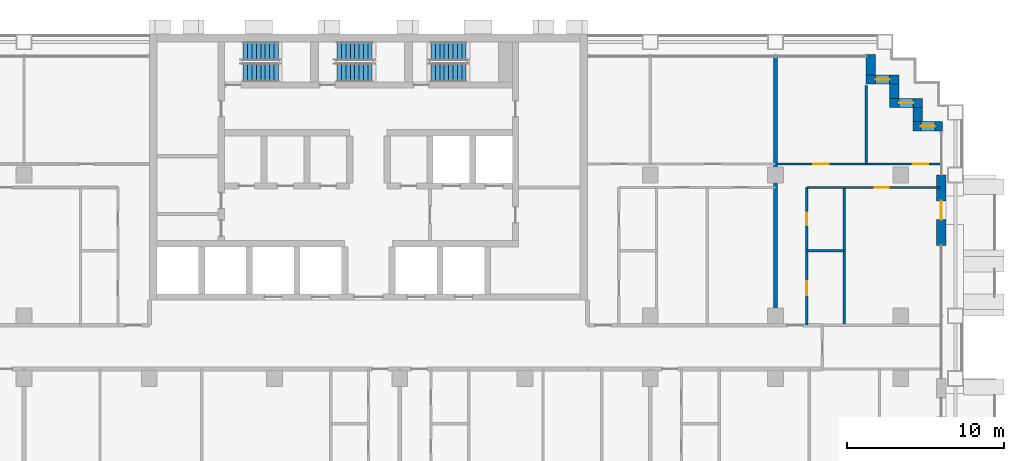
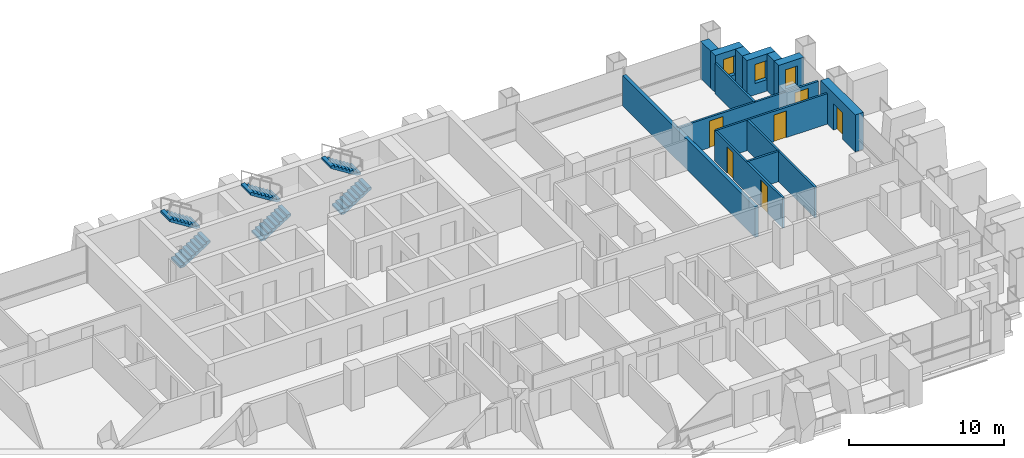
# One storey, part 14 of 18: 14 walls, 6 doors, 6 stair flights, 3 windows, 9 openings, 3 elements without a shape of their own.
"""IFC4 building model written with IfcOpenShell, lengths in metres."""

from ifc_helpers import new_model, si_unit, direction, frame, frame_2d, origin, place, context, subcontext, project, spatial, polyline, rectangle, outline, extrude, material, layer, layer_set, type_object, element, fill, aggregate, save


model = new_model("IFC4")

# Units and contexts
model_context = context("Model", 3, precision=1e-05, world=origin(), true_north=direction((0.0, 1.0)))
body_context = subcontext(model_context, "Body", "Model", "MODEL_VIEW")
ifc_project = project(units=[si_unit("LENGTHUNIT", "METRE"), si_unit("AREAUNIT", "SQUARE_METRE"), si_unit("VOLUMEUNIT", "CUBIC_METRE"), si_unit("PLANEANGLEUNIT", "RADIAN"), si_unit("MASSUNIT", "GRAM", prefix="KILO")], contexts=[model_context])

# Site, building, storey
site_placement = place(None, origin())
site = spatial("IfcSite", under=ifc_project, at=site_placement, CompositionType="ELEMENT")
building_placement = place(site_placement, origin())
building = spatial("IfcBuilding", under=site, at=building_placement, Name="Vidyagriha Tower", CompositionType="ELEMENT")
storey_placement = place(building_placement, frame((0.0, 0.0, 41.60009765625)))
storey = spatial("IfcBuildingStorey", under=building, at=storey_placement, Name="L10", CompositionType="ELEMENT", Elevation=41.60009765625)

# Wall, opening, window
ifc_material_1 = material(Name="Precast concrete C40/50 with brick facing", Category="concrete")
ifc_layer_1 = layer(ifc_material_1, 0.60009765625)
ifc_layer_set_1 = layer_set([ifc_layer_1], Name="Precast concrete C40/50 with brick facing")
wall_type_1 = type_object("IfcWallType", Name="Brick-faced precast wall 600", PredefinedType="STANDARD", material=ifc_layer_set_1)
wall_1_placement = place(storey_placement, frame((36.679931640625, 14.10009765625, 0.0), z_axis=(0.0, 0.0, 1.0), x_axis=(-1.0, 0.0, 0.0)))
wall_1 = element("IfcWall", 1, at=wall_1_placement, inside=storey, type_object=wall_type_1, Name="Stepped corner wall L10 R01", PredefinedType="STANDARD", context=body_context, shape_type="SweptSolid", body=[
    extrude(rectangle(XDim=1.8798828125, YDim=0.60009765625, at=frame_2d((0.93994140625, 0.0))), origin(), (0.0, 0.0, 1.0), 2.919921875),
])
opening_1_placement = place(wall_1_placement, frame((0.489990234375, 0.0, 0.89990234375)))
opening_1 = element("IfcOpeningElement", 2, at=opening_1_placement, cuts=wall_1, Name="Opening WN1", PredefinedType="OPENING", context=body_context, shape_type="SweptSolid", body=[
    extrude(rectangle(XDim=0.89990234375, YDim=1.5, at=frame_2d((0.449951171875, 0.75))), frame((0.0, 0.31005859375, 0.0), z_axis=(0.0, -1.0, 0.0), x_axis=(1.0, 0.0, 0.0)), (0.0, 0.0, 1.0), 0.6201171875),
])
ifc_material_2 = material(Name="Aluminium and glass window", Category="aluminium")
window_type = type_object("IfcWindowType", Name="Reveal window 900x1500", PartitioningType="NOTDEFINED", PredefinedType="WINDOW", material=ifc_material_2)
window_1_placement = place(opening_1_placement, origin())
window_1 = element("IfcWindow", 3, at=window_1_placement, inside=storey, type_object=window_type, Name="Reveal window L10 R01", OverallHeight=1.5, OverallWidth=0.89990234375, PartitioningType="SINGLE_PANEL", PredefinedType="WINDOW", context=body_context, shape_type="SweptSolid", body=[
    extrude(rectangle(XDim=0.89990234375, YDim=1.5, at=frame_2d((0.449951171875, 0.75))), frame((0.0, 0.030029296875, 0.0), z_axis=(0.0, -1.0, 0.0), x_axis=(1.0, 0.0, 0.0)), (0.0, 0.0, 1.0), 0.06005859375),
])
fill(opening_1, window_1)

# Wall
wall_2_placement = place(storey_placement, frame((35.10009765625, 14.39990234375, 0.0), z_axis=(0.0, 0.0, 1.0), x_axis=(0.0, 1.0, 0.0)))
element("IfcWall", 4, at=wall_2_placement, inside=storey, type_object=wall_type_1, Name="Stepped corner wall L10 R02", PredefinedType="STANDARD", context=body_context, shape_type="SweptSolid", body=[
    extrude(rectangle(XDim=0.900146484375, YDim=0.60009765625, at=frame_2d((0.4501953125, 0.0))), origin(), (0.0, 0.0, 1.0), 2.919921875),
])

# Wall, opening, window
wall_3_placement = place(storey_placement, frame((35.39990234375, 15.60009765625, 0.0), z_axis=(0.0, 0.0, 1.0), x_axis=(-1.0, 0.0, 0.0)))
wall_3 = element("IfcWall", 5, at=wall_3_placement, inside=storey, type_object=wall_type_1, Name="Stepped corner wall L10 R03", PredefinedType="STANDARD", context=body_context, shape_type="SweptSolid", body=[
    extrude(rectangle(XDim=2.099853515625, YDim=0.60009765625, at=frame_2d((1.0498046875, 0.0))), origin(), (0.0, 0.0, 1.0), 2.919921875),
])
opening_2_placement = place(wall_3_placement, frame((0.60009765625, 0.0, 0.89990234375)))
opening_2 = element("IfcOpeningElement", 6, at=opening_2_placement, cuts=wall_3, Name="Opening WN1", PredefinedType="OPENING", context=body_context, shape_type="SweptSolid", body=[
    extrude(rectangle(XDim=0.89990234375, YDim=1.5, at=frame_2d((0.449951171875, 0.75))), frame((0.0, 0.31005859375, 0.0), z_axis=(0.0, -1.0, 0.0), x_axis=(1.0, 0.0, 0.0)), (0.0, 0.0, 1.0), 0.6201171875),
])
window_2_placement = place(opening_2_placement, origin())
window_2 = element("IfcWindow", 7, at=window_2_placement, inside=storey, type_object=window_type, Name="Reveal window L10 R03", OverallHeight=1.5, OverallWidth=0.89990234375, PartitioningType="SINGLE_PANEL", PredefinedType="WINDOW", context=body_context, shape_type="SweptSolid", body=[
    extrude(rectangle(XDim=0.89990234375, YDim=1.5, at=frame_2d((0.449951171875, 0.75))), frame((0.0, 0.030029296875, 0.0), z_axis=(0.0, -1.0, 0.0), x_axis=(1.0, 0.0, 0.0)), (0.0, 0.0, 1.0), 0.06005859375),
])
fill(opening_2, window_2)

# Wall
wall_4_placement = place(storey_placement, frame((33.60009765625, 15.89990234375, 0.0), z_axis=(0.0, 0.0, 1.0), x_axis=(0.0, 1.0, 0.0)))
element("IfcWall", 8, at=wall_4_placement, inside=storey, type_object=wall_type_1, Name="Stepped corner wall L10 R04", PredefinedType="STANDARD", context=body_context, shape_type="SweptSolid", body=[
    extrude(rectangle(XDim=0.900146484375, YDim=0.60009765625, at=frame_2d((0.4501953125, 0.0))), origin(), (0.0, 0.0, 1.0), 2.919921875),
])

# Wall, opening, window
wall_5_placement = place(storey_placement, frame((33.89990234375, 17.10009765625, 0.0), z_axis=(0.0, 0.0, 1.0), x_axis=(-1.0, 0.0, 0.0)))
wall_5 = element("IfcWall", 9, at=wall_5_placement, inside=storey, type_object=wall_type_1, Name="Stepped corner wall L10 R05", PredefinedType="STANDARD", context=body_context, shape_type="SweptSolid", body=[
    extrude(rectangle(XDim=2.099853515625, YDim=0.60009765625, at=frame_2d((1.0498046875, 0.0))), origin(), (0.0, 0.0, 1.0), 2.919921875),
])
opening_3_placement = place(wall_5_placement, frame((0.60009765625, 0.0, 0.89990234375)))
opening_3 = element("IfcOpeningElement", 10, at=opening_3_placement, cuts=wall_5, Name="Opening WN1", PredefinedType="OPENING", context=body_context, shape_type="SweptSolid", body=[
    extrude(rectangle(XDim=0.89990234375, YDim=1.5, at=frame_2d((0.449951171875, 0.75))), frame((0.0, 0.31005859375, 0.0), z_axis=(0.0, -1.0, 0.0), x_axis=(1.0, 0.0, 0.0)), (0.0, 0.0, 1.0), 0.6201171875),
])
window_3_placement = place(opening_3_placement, origin())
window_3 = element("IfcWindow", 11, at=window_3_placement, inside=storey, type_object=window_type, Name="Reveal window L10 R05", OverallHeight=1.5, OverallWidth=0.89990234375, PartitioningType="SINGLE_PANEL", PredefinedType="WINDOW", context=body_context, shape_type="SweptSolid", body=[
    extrude(rectangle(XDim=0.89990234375, YDim=1.5, at=frame_2d((0.449951171875, 0.75))), frame((0.0, 0.030029296875, 0.0), z_axis=(0.0, -1.0, 0.0), x_axis=(1.0, 0.0, 0.0)), (0.0, 0.0, 1.0), 0.06005859375),
])
fill(opening_3, window_3)

# Wall
wall_6_placement = place(storey_placement, frame((32.10009765625, 17.39990234375, 0.0), z_axis=(0.0, 0.0, 1.0), x_axis=(0.0, 1.0, 0.0)))
element("IfcWall", 12, at=wall_6_placement, inside=storey, type_object=wall_type_1, Name="Stepped corner wall L10 R06", PredefinedType="STANDARD", context=body_context, shape_type="SweptSolid", body=[
    extrude(rectangle(XDim=1.280029296875, YDim=0.60009765625, at=frame_2d((0.64013671875, 0.0))), origin(), (0.0, 0.0, 1.0), 2.919921875),
])

# Wall, opening, door
wall_7_placement = place(storey_placement, frame((36.60009765625, 6.5, 0.0), z_axis=(0.0, 0.0, 1.0), x_axis=(0.0, 1.0, 0.0)))
wall_7 = element("IfcWall", 13, at=wall_7_placement, inside=storey, type_object=wall_type_1, Name="Brick door bay wall L10 R30.6", PredefinedType="STANDARD", context=body_context, shape_type="SweptSolid", body=[
    extrude(rectangle(XDim=4.5, YDim=0.60009765625, at=frame_2d((2.25, 0.0))), origin(), (0.0, 0.0, 1.0), 2.919921875),
])
opening_4_placement = place(wall_7_placement, frame((1.64990234375, 0.0, 0.0)))
opening_4 = element("IfcOpeningElement", 14, at=opening_4_placement, cuts=wall_7, Name="Opening D10-87", PredefinedType="OPENING", context=body_context, shape_type="SweptSolid", body=[
    extrude(rectangle(XDim=1.199951171875, YDim=2.10009765625, at=frame_2d((0.60009765625, 1.050048828125))), frame((0.0, 0.31005859375, 0.0), z_axis=(0.0, -1.0, 0.0), x_axis=(1.0, 0.0, 0.0)), (0.0, 0.0, 1.0), 0.6201171875),
])
ifc_material_3 = material(Name="Aluminium framed glazed sliding door", Category="aluminium")
door_type_1 = type_object("IfcDoorType", Name="Balcony sliding door 1200x2100", OperationType="NOTDEFINED", PredefinedType="DOOR", material=ifc_material_3)
door_1_placement = place(opening_4_placement, origin())
door_1 = element("IfcDoor", 15, at=door_1_placement, inside=storey, type_object=door_type_1, Name="Door D10-87", OperationType="SLIDING_TO_LEFT", OverallHeight=2.10009765625, OverallWidth=1.199951171875, PredefinedType="DOOR", context=body_context, shape_type="SweptSolid", body=[
    extrude(rectangle(XDim=1.199951171875, YDim=2.10009765625, at=frame_2d((0.60009765625, 1.050048828125))), frame((0.0, 0.02490234375, 0.0), z_axis=(0.0, -1.0, 0.0), x_axis=(1.0, 0.0, 0.0)), (0.0, 0.0, 1.0), 0.050048828125),
])
fill(opening_4, door_1)

# Walls
ifc_material_4 = material(Name="Fired clay brick masonry", Category="masonry")
ifc_layer_2 = layer(ifc_material_4, 0.25)
ifc_layer_set_2 = layer_set([ifc_layer_2], Name="Fired clay brick masonry")
wall_type_2 = type_object("IfcWallType", Name="Fired clay brick demising wall 250", PredefinedType="PARTITIONING", material=ifc_layer_set_2)
wall_8_placement = place(storey_placement, frame((26.0, 18.52099609375, 0.0), z_axis=(0.0, 0.0, 1.0), x_axis=(0.0, -1.0, 0.0)))
element("IfcWall", 16, at=wall_8_placement, inside=storey, type_object=wall_type_2, Name="Wall all-L10-w130", PredefinedType="PARTITIONING", context=body_context, shape_type="SweptSolid", body=[
    extrude(rectangle(XDim=17.12109375, YDim=0.25, at=frame_2d((8.560546875, 0.0))), origin(), (0.0, 0.0, 1.0), 2.39990234375),
])
ifc_material_5 = material(Name="Gypsum board partition")
ifc_layer_3 = layer(ifc_material_5, 0.14990234375)
ifc_layer_set_3 = layer_set([ifc_layer_3], Name="Gypsum board partition")
wall_type_3 = type_object("IfcWallType", Name="Gypsum board partition 150", PredefinedType="PARTITIONING", material=ifc_layer_set_3)
wall_9_placement = place(storey_placement, frame((28.0, 6.14990234375, 0.0)))
element("IfcWall", 17, at=wall_9_placement, inside=storey, type_object=wall_type_3, Name="Wall all-L10-w121", PredefinedType="PARTITIONING", context=body_context, shape_type="SweptSolid", body=[
    extrude(rectangle(XDim=2.39990234375, YDim=0.14990234375, at=frame_2d((1.199951171875, 0.0))), origin(), (0.0, 0.0, 1.0), 2.39990234375),
])
wall_10_placement = place(storey_placement, frame((30.39990234375, 10.199951171875, 0.0), z_axis=(0.0, 0.0, 1.0), x_axis=(0.0, -1.0, 0.0)))
element("IfcWall", 18, at=wall_10_placement, inside=storey, type_object=wall_type_3, Name="Wall all-L10-w122", PredefinedType="PARTITIONING", context=body_context, shape_type="SweptSolid", body=[
    extrude(rectangle(XDim=8.800048828125, YDim=0.14990234375, at=frame_2d((4.39990234375, 0.0))), origin(), (0.0, 0.0, 1.0), 2.39990234375),
])

# Wall, opening, door
wall_11_placement = place(storey_placement, frame((36.510009765625, 10.199951171875, 0.0), z_axis=(0.0, 0.0, 1.0), x_axis=(-1.0, 0.0, 0.0)))
wall_11 = element("IfcWall", 19, at=wall_11_placement, inside=storey, type_object=wall_type_3, Name="Wall all-L10-w123", PredefinedType="PARTITIONING", context=body_context, shape_type="SweptSolid", body=[
    extrude(rectangle(XDim=8.510009765625, YDim=0.14990234375, at=frame_2d((4.2548828125, 0.0))), origin(), (0.0, 0.0, 1.0), 2.39990234375),
])
opening_5_placement = place(wall_11_placement, frame((3.27001953125, 0.0, 0.0)))
opening_5 = element("IfcOpeningElement", 20, at=opening_5_placement, cuts=wall_11, Name="Opening D10-71", PredefinedType="OPENING", context=body_context, shape_type="SweptSolid", body=[
    extrude(rectangle(XDim=0.89990234375, YDim=2.10009765625, at=frame_2d((0.449951171875, 1.050048828125))), frame((0.0, 0.0849609375, 0.0), z_axis=(0.0, -1.0, 0.0), x_axis=(1.0, 0.0, 0.0)), (0.0, 0.0, 1.0), 0.169921875),
])
ifc_material_6 = material(Name="Timber door leaf", Category="wood")
door_type_2 = type_object("IfcDoorType", Name="Room door 900x2100", OperationType="NOTDEFINED", PredefinedType="DOOR", material=ifc_material_6)
door_2_placement = place(opening_5_placement, origin())
door_2 = element("IfcDoor", 21, at=door_2_placement, inside=storey, type_object=door_type_2, Name="Door D10-71", OperationType="SINGLE_SWING_RIGHT", OverallHeight=2.10009765625, OverallWidth=0.89990234375, PredefinedType="DOOR", context=body_context, shape_type="SweptSolid", body=[
    extrude(rectangle(XDim=0.89990234375, YDim=2.10009765625, at=frame_2d((0.449951171875, 1.050048828125))), frame((0.0, 0.02490234375, 0.0), z_axis=(0.0, -1.0, 0.0), x_axis=(1.0, 0.0, 0.0)), (0.0, 0.0, 1.0), 0.050048828125),
])
fill(opening_5, door_2)

# Wall, openings, doors
wall_12_placement = place(storey_placement, frame((26.0, 11.699951171875, 0.0)))
wall_12 = element("IfcWall", 22, at=wall_12_placement, inside=storey, type_object=wall_type_3, Name="Wall all-L10-w125", PredefinedType="PARTITIONING", context=body_context, shape_type="SweptSolid", body=[
    extrude(rectangle(XDim=10.52001953125, YDim=0.14990234375, at=frame_2d((5.260009765625, 0.0))), origin(), (0.0, 0.0, 1.0), 2.39990234375),
])
opening_6_placement = place(wall_12_placement, frame((2.39990234375, 0.0, 0.0)))
opening_6 = element("IfcOpeningElement", 23, at=opening_6_placement, cuts=wall_12, Name="Opening D10-72", PredefinedType="OPENING", context=body_context, shape_type="SweptSolid", body=[
    extrude(rectangle(XDim=1.0, YDim=2.10009765625, at=frame_2d((0.5, 1.050048828125))), frame((0.0, 0.0849609375, 0.0), z_axis=(0.0, -1.0, 0.0), x_axis=(1.0, 0.0, 0.0)), (0.0, 0.0, 1.0), 0.169921875),
])
opening_7_placement = place(wall_12_placement, frame((8.760009765625, 0.0, 0.0)))
opening_7 = element("IfcOpeningElement", 24, at=opening_7_placement, cuts=wall_12, Name="Opening D10-73", PredefinedType="OPENING", context=body_context, shape_type="SweptSolid", body=[
    extrude(rectangle(XDim=1.0, YDim=2.10009765625, at=frame_2d((0.5, 1.050048828125))), frame((0.0, 0.0849609375, 0.0), z_axis=(0.0, -1.0, 0.0), x_axis=(1.0, 0.0, 0.0)), (0.0, 0.0, 1.0), 0.169921875),
])
ifc_material_7 = material(Name="Timber door leaf", Category="wood")
door_type_3 = type_object("IfcDoorType", Name="Room door 1000x2100", OperationType="NOTDEFINED", PredefinedType="DOOR", material=ifc_material_7)
door_3_placement = place(opening_6_placement, origin())
door_3 = element("IfcDoor", 25, at=door_3_placement, inside=storey, type_object=door_type_3, Name="Door D10-72", OperationType="SINGLE_SWING_LEFT", OverallHeight=2.10009765625, OverallWidth=1.0, PredefinedType="DOOR", context=body_context, shape_type="SweptSolid", body=[
    extrude(rectangle(XDim=1.0, YDim=2.10009765625, at=frame_2d((0.5, 1.050048828125))), frame((0.0, 0.02490234375, 0.0), z_axis=(0.0, -1.0, 0.0), x_axis=(1.0, 0.0, 0.0)), (0.0, 0.0, 1.0), 0.050048828125),
])
fill(opening_6, door_3)
door_4_placement = place(opening_7_placement, origin())
door_4 = element("IfcDoor", 26, at=door_4_placement, inside=storey, type_object=door_type_3, Name="Door D10-73", OperationType="SINGLE_SWING_RIGHT", OverallHeight=2.10009765625, OverallWidth=1.0, PredefinedType="DOOR", context=body_context, shape_type="SweptSolid", body=[
    extrude(rectangle(XDim=1.0, YDim=2.10009765625, at=frame_2d((0.5, 1.050048828125))), frame((0.0, 0.02490234375, 0.0), z_axis=(0.0, -1.0, 0.0), x_axis=(1.0, 0.0, 0.0)), (0.0, 0.0, 1.0), 0.050048828125),
])
fill(opening_7, door_4)

# Wall
wall_13_placement = place(storey_placement, frame((31.800048828125, 16.719970703125, 0.0), z_axis=(0.0, 0.0, 1.0), x_axis=(0.0, -1.0, 0.0)))
element("IfcWall", 27, at=wall_13_placement, inside=storey, type_object=wall_type_3, Name="Wall all-L10-w128", PredefinedType="PARTITIONING", context=body_context, shape_type="SweptSolid", body=[
    extrude(rectangle(XDim=5.02001953125, YDim=0.14990234375, at=frame_2d((2.510009765625, 0.0))), origin(), (0.0, 0.0, 1.0), 2.39990234375),
])

# Wall, openings, doors
ifc_material_8 = material(Name="Moisture resistant gypsum board partition")
ifc_layer_4 = layer(ifc_material_8, 0.14990234375)
ifc_layer_set_4 = layer_set([ifc_layer_4], Name="Moisture resistant gypsum board partition")
wall_type_4 = type_object("IfcWallType", Name="Gypsum board wet-area partition 150", PredefinedType="PARTITIONING", material=ifc_layer_set_4)
wall_14_placement = place(storey_placement, frame((28.0, 10.199951171875, 0.0), z_axis=(0.0, 0.0, 1.0), x_axis=(0.0, -1.0, 0.0)))
wall_14 = element("IfcWall", 28, at=wall_14_placement, inside=storey, type_object=wall_type_4, Name="Wall all-L10-w118", PredefinedType="PARTITIONING", context=body_context, shape_type="SweptSolid", body=[
    extrude(rectangle(XDim=8.800048828125, YDim=0.14990234375, at=frame_2d((4.39990234375, 0.0))), origin(), (0.0, 0.0, 1.0), 2.39990234375),
])
opening_8_placement = place(wall_14_placement, frame((5.97509765625, 0.0, 0.0)))
opening_8 = element("IfcOpeningElement", 29, at=opening_8_placement, cuts=wall_14, Name="Opening D10-69", PredefinedType="OPENING", context=body_context, shape_type="SweptSolid", body=[
    extrude(rectangle(XDim=0.89990234375, YDim=2.10009765625, at=frame_2d((0.449951171875, 1.050048828125))), frame((0.0, 0.0849609375, 0.0), z_axis=(0.0, -1.0, 0.0), x_axis=(1.0, 0.0, 0.0)), (0.0, 0.0, 1.0), 0.169921875),
])
opening_9_placement = place(wall_14_placement, frame((1.625, 0.0, 0.0)))
opening_9 = element("IfcOpeningElement", 30, at=opening_9_placement, cuts=wall_14, Name="Opening D10-70", PredefinedType="OPENING", context=body_context, shape_type="SweptSolid", body=[
    extrude(rectangle(XDim=0.800048828125, YDim=2.10009765625, at=frame_2d((0.39990234375, 1.050048828125))), frame((0.0, 0.0849609375, 0.0), z_axis=(0.0, -1.0, 0.0), x_axis=(1.0, 0.0, 0.0)), (0.0, 0.0, 1.0), 0.169921875),
])
ifc_material_9 = material(Name="Timber door leaf", Category="wood")
door_type_4 = type_object("IfcDoorType", Name="Bathroom door 800x2100", OperationType="NOTDEFINED", PredefinedType="DOOR", material=ifc_material_9)
door_5_placement = place(opening_9_placement, origin())
door_5 = element("IfcDoor", 31, at=door_5_placement, inside=storey, type_object=door_type_4, Name="Door D10-70", OperationType="SINGLE_SWING_LEFT", OverallHeight=2.10009765625, OverallWidth=0.800048828125, PredefinedType="DOOR", context=body_context, shape_type="SweptSolid", body=[
    extrude(rectangle(XDim=0.800048828125, YDim=2.10009765625, at=frame_2d((0.39990234375, 1.050048828125))), frame((0.0, 0.02490234375, 0.0), z_axis=(0.0, -1.0, 0.0), x_axis=(1.0, 0.0, 0.0)), (0.0, 0.0, 1.0), 0.050048828125),
])
fill(opening_9, door_5)
ifc_material_10 = material(Name="Timber door leaf", Category="wood")
door_type_5 = type_object("IfcDoorType", Name="Kitchen door 900x2100", OperationType="NOTDEFINED", PredefinedType="DOOR", material=ifc_material_10)
door_6_placement = place(opening_8_placement, origin())
door_6 = element("IfcDoor", 32, at=door_6_placement, inside=storey, type_object=door_type_5, Name="Door D10-69", OperationType="SINGLE_SWING_LEFT", OverallHeight=2.10009765625, OverallWidth=0.89990234375, PredefinedType="DOOR", context=body_context, shape_type="SweptSolid", body=[
    extrude(rectangle(XDim=0.89990234375, YDim=2.10009765625, at=frame_2d((0.449951171875, 1.050048828125))), frame((0.0, 0.02490234375, 0.0), z_axis=(0.0, -1.0, 0.0), x_axis=(1.0, 0.0, 0.0)), (0.0, 0.0, 1.0), 0.050048828125),
])
fill(opening_8, door_6)

# Stair, stair flights
ifc_material_11 = material(Name="Concrete C40/50", Category="concrete")
stair_type = type_object("IfcStairType", Name="Exit stair, half-turn, precast flights", PredefinedType="HALF_TURN_STAIR", material=ifc_material_11)
stair_1_placement = place(storey_placement, origin())
stair_1 = element("IfcStair", 33, at=stair_1_placement, inside=storey, type_object=stair_type, Name="L10 Exit Stair ST1", PredefinedType="HALF_TURN_STAIR")
ifc_material_12 = material(Name="Precast concrete C40/50", Category="concrete")
stair_flight_type = type_object("IfcStairFlightType", Name="Exit stair flight 1200 mm, precast", PredefinedType="STRAIGHT", material=ifc_material_12)
stair_flight_1_placement = place(storey_placement, frame((-8.0, 17.550048828125, 0.0)))
stair_flight_1 = element("IfcStairFlight", 34, at=stair_flight_1_placement, type_object=stair_flight_type, Name="ST1 flight 1", NumberOfRisers=9, NumberOfTreads=8, PredefinedType="STRAIGHT", RiserHeight=0.177777778, TreadLength=0.28, context=body_context, shape_type="SweptSolid", body=[
    extrude(outline(polyline([(0.0, 0.0), (0.0, 0.177734375), (0.280029296875, 0.177734375), (0.280029296875, 0.35546875), (0.56005859375, 0.35546875), (0.56005859375, 0.533447265625), (0.840087890625, 0.533447265625), (0.840087890625, 0.711181640625), (1.1201171875, 0.711181640625), (1.1201171875, 0.888916015625), (1.39990234375, 0.888916015625), (1.39990234375, 1.066650390625), (1.679931640625, 1.066650390625), (1.679931640625, 1.244384765625), (1.9599609375, 1.244384765625), (1.9599609375, 1.422119140625), (2.239990234375, 1.422119140625), (2.239990234375, 1.60009765625), (2.239990234375, 1.24462890625), (0.27978515625, 0.0), (0.0, 0.0)])), frame((0.0, 0.60009765625, 0.0), z_axis=(0.0, -1.0, 0.0), x_axis=(1.0, 0.0, 0.0)), (0.0, 0.0, 1.0), 1.199951171875),
])
stair_flight_2_placement = place(storey_placement, frame((-5.760009765625, 18.89990234375, 1.599853515625), z_axis=(0.0, 0.0, 1.0), x_axis=(-1.0, 0.0, 0.0)))
stair_flight_2 = element("IfcStairFlight", 35, at=stair_flight_2_placement, type_object=stair_flight_type, Name="ST1 flight 2", NumberOfRisers=9, NumberOfTreads=8, PredefinedType="STRAIGHT", RiserHeight=0.177777778, TreadLength=0.28, context=body_context, shape_type="SweptSolid", body=[
    extrude(outline(polyline([(0.0, 0.0), (0.0, 0.177734375), (0.280029296875, 0.177734375), (0.280029296875, 0.35546875), (0.56005859375, 0.35546875), (0.56005859375, 0.533447265625), (0.840087890625, 0.533447265625), (0.840087890625, 0.711181640625), (1.1201171875, 0.711181640625), (1.1201171875, 0.888916015625), (1.39990234375, 0.888916015625), (1.39990234375, 1.066650390625), (1.679931640625, 1.066650390625), (1.679931640625, 1.244384765625), (1.9599609375, 1.244384765625), (1.9599609375, 1.422119140625), (2.239990234375, 1.422119140625), (2.239990234375, 1.60009765625), (2.239990234375, 1.24462890625), (0.27978515625, 0.0), (0.0, 0.0)])), frame((0.0, 0.60009765625, 0.0), z_axis=(0.0, -1.0, 0.0), x_axis=(1.0, 0.0, 0.0)), (0.0, 0.0, 1.0), 1.199951171875),
])
aggregate(stair_1, [stair_flight_1, stair_flight_2])

stair_2_placement = place(storey_placement, origin())
stair_2 = element("IfcStair", 36, at=stair_2_placement, inside=storey, type_object=stair_type, Name="L10 Exit Stair ST2", PredefinedType="HALF_TURN_STAIR")
stair_flight_3_placement = place(storey_placement, frame((-2.0, 17.550048828125, 0.0)))
stair_flight_3 = element("IfcStairFlight", 37, at=stair_flight_3_placement, type_object=stair_flight_type, Name="ST2 flight 1", NumberOfRisers=9, NumberOfTreads=8, PredefinedType="STRAIGHT", RiserHeight=0.177777778, TreadLength=0.28, context=body_context, shape_type="SweptSolid", body=[
    extrude(outline(polyline([(0.0, 0.0), (0.0, 0.177734375), (0.280029296875, 0.177734375), (0.280029296875, 0.35546875), (0.56005859375, 0.35546875), (0.56005859375, 0.533447265625), (0.840087890625, 0.533447265625), (0.840087890625, 0.711181640625), (1.1201171875, 0.711181640625), (1.1201171875, 0.888916015625), (1.39990234375, 0.888916015625), (1.39990234375, 1.066650390625), (1.679931640625, 1.066650390625), (1.679931640625, 1.244384765625), (1.9599609375, 1.244384765625), (1.9599609375, 1.422119140625), (2.239990234375, 1.422119140625), (2.239990234375, 1.60009765625), (2.239990234375, 1.24462890625), (0.27978515625, 0.0), (0.0, 0.0)])), frame((0.0, 0.60009765625, 0.0), z_axis=(0.0, -1.0, 0.0), x_axis=(1.0, 0.0, 0.0)), (0.0, 0.0, 1.0), 1.199951171875),
])
stair_flight_4_placement = place(storey_placement, frame((0.239990234375, 18.89990234375, 1.599853515625), z_axis=(0.0, 0.0, 1.0), x_axis=(-1.0, 0.0, 0.0)))
stair_flight_4 = element("IfcStairFlight", 38, at=stair_flight_4_placement, type_object=stair_flight_type, Name="ST2 flight 2", NumberOfRisers=9, NumberOfTreads=8, PredefinedType="STRAIGHT", RiserHeight=0.177777778, TreadLength=0.28, context=body_context, shape_type="SweptSolid", body=[
    extrude(outline(polyline([(0.0, 0.0), (0.0, 0.177734375), (0.280029296875, 0.177734375), (0.280029296875, 0.35546875), (0.56005859375, 0.35546875), (0.56005859375, 0.533447265625), (0.840087890625, 0.533447265625), (0.840087890625, 0.711181640625), (1.1201171875, 0.711181640625), (1.1201171875, 0.888916015625), (1.39990234375, 0.888916015625), (1.39990234375, 1.066650390625), (1.679931640625, 1.066650390625), (1.679931640625, 1.244384765625), (1.9599609375, 1.244384765625), (1.9599609375, 1.422119140625), (2.239990234375, 1.422119140625), (2.239990234375, 1.60009765625), (2.239990234375, 1.24462890625), (0.27978515625, 0.0), (0.0, 0.0)])), frame((0.0, 0.60009765625, 0.0), z_axis=(0.0, -1.0, 0.0), x_axis=(1.0, 0.0, 0.0)), (0.0, 0.0, 1.0), 1.199951171875),
])
aggregate(stair_2, [stair_flight_3, stair_flight_4])

stair_3_placement = place(storey_placement, origin())
stair_3 = element("IfcStair", 39, at=stair_3_placement, inside=storey, type_object=stair_type, Name="L10 Exit Stair ST3", PredefinedType="HALF_TURN_STAIR")
stair_flight_5_placement = place(storey_placement, frame((4.0, 17.550048828125, 0.0)))
stair_flight_5 = element("IfcStairFlight", 40, at=stair_flight_5_placement, type_object=stair_flight_type, Name="ST3 flight 1", NumberOfRisers=9, NumberOfTreads=8, PredefinedType="STRAIGHT", RiserHeight=0.177777778, TreadLength=0.28, context=body_context, shape_type="SweptSolid", body=[
    extrude(outline(polyline([(0.0, 0.0), (0.0, 0.177734375), (0.280029296875, 0.177734375), (0.280029296875, 0.35546875), (0.56005859375, 0.35546875), (0.56005859375, 0.533447265625), (0.840087890625, 0.533447265625), (0.840087890625, 0.711181640625), (1.1201171875, 0.711181640625), (1.1201171875, 0.888916015625), (1.39990234375, 0.888916015625), (1.39990234375, 1.066650390625), (1.679931640625, 1.066650390625), (1.679931640625, 1.244384765625), (1.9599609375, 1.244384765625), (1.9599609375, 1.422119140625), (2.239990234375, 1.422119140625), (2.239990234375, 1.60009765625), (2.239990234375, 1.24462890625), (0.27978515625, 0.0), (0.0, 0.0)])), frame((0.0, 0.60009765625, 0.0), z_axis=(0.0, -1.0, 0.0), x_axis=(1.0, 0.0, 0.0)), (0.0, 0.0, 1.0), 1.199951171875),
])
stair_flight_6_placement = place(storey_placement, frame((6.239990234375, 18.89990234375, 1.599853515625), z_axis=(0.0, 0.0, 1.0), x_axis=(-1.0, 0.0, 0.0)))
stair_flight_6 = element("IfcStairFlight", 41, at=stair_flight_6_placement, type_object=stair_flight_type, Name="ST3 flight 2", NumberOfRisers=9, NumberOfTreads=8, PredefinedType="STRAIGHT", RiserHeight=0.177777778, TreadLength=0.28, context=body_context, shape_type="SweptSolid", body=[
    extrude(outline(polyline([(0.0, 0.0), (0.0, 0.177734375), (0.280029296875, 0.177734375), (0.280029296875, 0.35546875), (0.56005859375, 0.35546875), (0.56005859375, 0.533447265625), (0.840087890625, 0.533447265625), (0.840087890625, 0.711181640625), (1.1201171875, 0.711181640625), (1.1201171875, 0.888916015625), (1.39990234375, 0.888916015625), (1.39990234375, 1.066650390625), (1.679931640625, 1.066650390625), (1.679931640625, 1.244384765625), (1.9599609375, 1.244384765625), (1.9599609375, 1.422119140625), (2.239990234375, 1.422119140625), (2.239990234375, 1.60009765625), (2.239990234375, 1.24462890625), (0.27978515625, 0.0), (0.0, 0.0)])), frame((0.0, 0.60009765625, 0.0), z_axis=(0.0, -1.0, 0.0), x_axis=(1.0, 0.0, 0.0)), (0.0, 0.0, 1.0), 1.199951171875),
])
aggregate(stair_3, [stair_flight_5, stair_flight_6])

save(model, "model.ifc")
